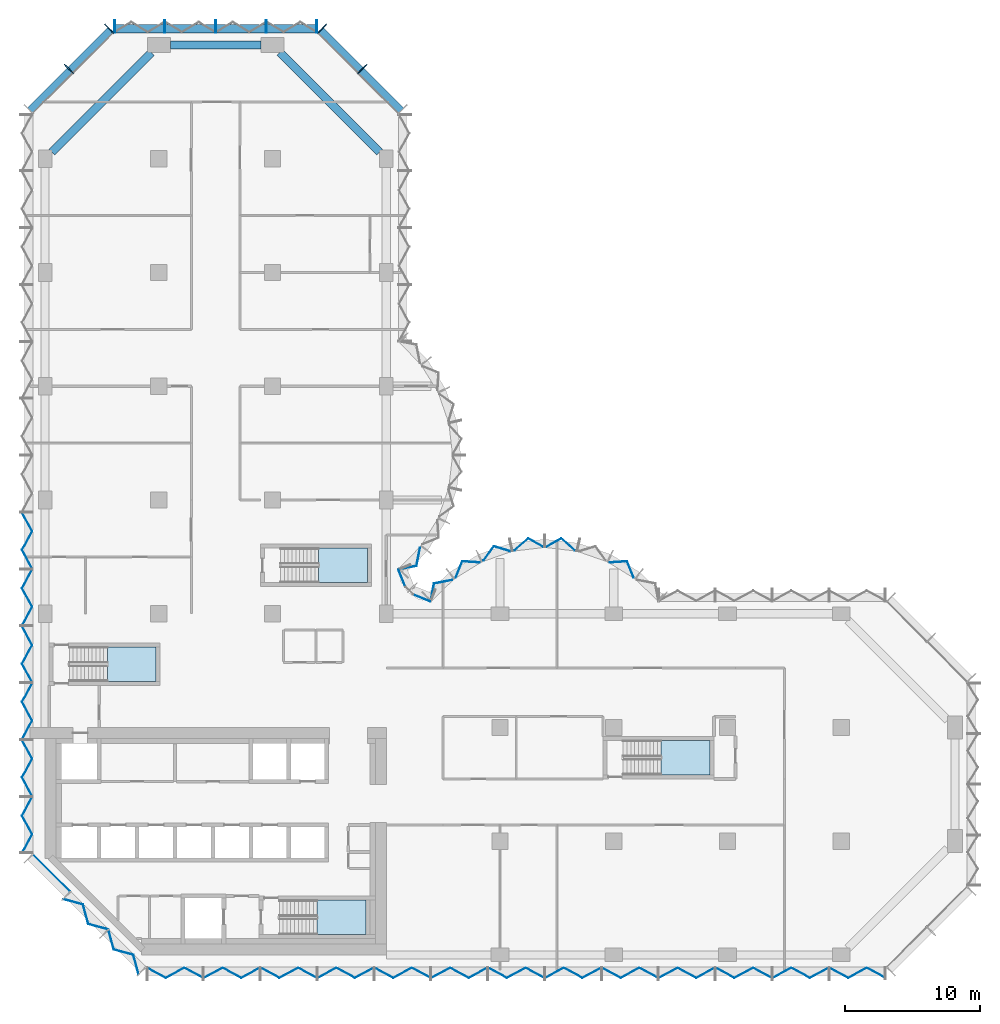
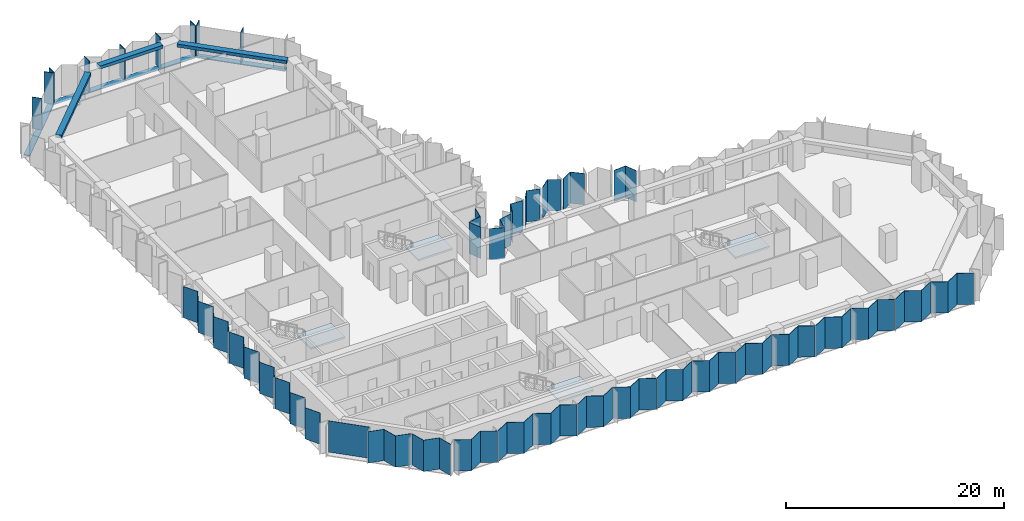
# One storey, part 5 of 13: 31 plates, 12 members, 4 slabs, 3 beams, 13 elements without a shape of their own.
"""IFC4 building model written with IfcOpenShell, lengths in metres."""

from ifc_helpers import new_model, si_unit, direction, frame, origin, origin_2d, place, context, subcontext, project, spatial, polyline, rectangle, outline, extrude, material, layer, layer_set, material_profile, profile_set, type_object, element, aggregate, save


model = new_model("IFC4")

# Units and contexts
model_context = context("Model", 3, precision=1e-05, world=origin(), true_north=direction((0.0, 1.0)))
body_context = subcontext(model_context, "Body", "Model", "MODEL_VIEW")
ifc_project = project(units=[si_unit("LENGTHUNIT", "METRE"), si_unit("AREAUNIT", "SQUARE_METRE"), si_unit("VOLUMEUNIT", "CUBIC_METRE"), si_unit("PLANEANGLEUNIT", "RADIAN"), si_unit("MASSUNIT", "GRAM", prefix="KILO")], contexts=[model_context])

# Site, building, storey
site_placement = place(None, origin())
site = spatial("IfcSite", under=ifc_project, at=site_placement, CompositionType="ELEMENT")
building_placement = place(site_placement, origin())
building = spatial("IfcBuilding", under=site, at=building_placement, Name="Brevane Broadcast Tower", CompositionType="ELEMENT")
storey_placement = place(building_placement, frame((0.0, 0.0, 98.89990234375)))
storey = spatial("IfcBuildingStorey", under=building, at=storey_placement, Name="L23", CompositionType="ELEMENT", Elevation=98.89990234375)

# Curtain wall, members
ifc_material_1 = material(Name="Aluminium 6063-T6 bronze anodised", Category="aluminium")
curtain_wall_type = type_object("IfcCurtainWallType", Name="CW-1 curtain wall", PredefinedType="NOTDEFINED", material=ifc_material_1)
curtain_wall_1_placement = place(storey_placement, origin())
curtain_wall_1 = element("IfcCurtainWall", 1, at=curtain_wall_1_placement, inside=storey, type_object=curtain_wall_type, Name="CW-1 typical tilted unit L23 north arm north-east chamfer", PredefinedType="NOTDEFINED")
ifc_material_profile_1 = material_profile(ifc_material_1, rectangle(XDim=0.949951171875, YDim=0.070068359375, at=origin_2d()), Name="RECT 70x950")
ifc_profile_set_1 = profile_set([ifc_material_profile_1], Name="Aluminium 6063-T6 bronze anodised")
member_type_1 = type_object("IfcMemberType", Name="CW-1 mullion 70x950", PredefinedType="MULLION", material=ifc_profile_set_1)
member_1_placement = place(storey_placement, frame((23.435791015625, 65.435791015625, -0.14990234375), z_axis=(0.0, 0.0, 1.0), x_axis=(-0.707106781187, -0.707106781187, 0.0)))
member_1 = element("IfcMember", 2, at=member_1_placement, type_object=member_type_1, Name="CW-1 mullion", PredefinedType="MULLION", context=body_context, shape_type="SweptSolid", body=[
    extrude(rectangle(XDim=0.949951171875, YDim=0.070068359375, at=origin_2d()), origin(), (0.0, 0.0, 1.0), 3.5),
])
member_2_placement = place(storey_placement, frame((20.460693359375, 68.4111328125, -0.14990234375), z_axis=(0.0, 0.0, 1.0), x_axis=(-0.707106781187, -0.707106781187, 0.0)))
member_2 = element("IfcMember", 3, at=member_2_placement, type_object=member_type_1, Name="CW-1 mullion", PredefinedType="MULLION", context=body_context, shape_type="SweptSolid", body=[
    extrude(rectangle(XDim=0.949951171875, YDim=0.070068359375, at=origin_2d()), origin(), (0.0, 0.0, 1.0), 3.5),
])

curtain_wall_2_placement = place(storey_placement, origin())
curtain_wall_2 = element("IfcCurtainWall", 4, at=curtain_wall_2_placement, inside=storey, type_object=curtain_wall_type, Name="CW-1 typical tilted unit L23 north end", PredefinedType="NOTDEFINED")
member_3_placement = place(storey_placement, frame((20.06494140625, 68.574951171875, -0.14990234375), z_axis=(0.0, 0.0, 1.0), x_axis=(0.0, -1.0, 0.0)))
member_3 = element("IfcMember", 5, at=member_3_placement, type_object=member_type_1, Name="CW-1 mullion", PredefinedType="MULLION", context=body_context, shape_type="SweptSolid", body=[
    extrude(rectangle(XDim=0.949951171875, YDim=0.070068359375, at=origin_2d()), origin(), (0.0, 0.0, 1.0), 3.5),
])
member_4_placement = place(storey_placement, frame((16.35009765625, 68.574951171875, -0.14990234375), z_axis=(0.0, 0.0, 1.0), x_axis=(0.0, -1.0, 0.0)))
member_4 = element("IfcMember", 6, at=member_4_placement, type_object=member_type_1, Name="CW-1 mullion", PredefinedType="MULLION", context=body_context, shape_type="SweptSolid", body=[
    extrude(rectangle(XDim=0.949951171875, YDim=0.070068359375, at=origin_2d()), origin(), (0.0, 0.0, 1.0), 3.5),
])
member_5_placement = place(storey_placement, frame((12.60009765625, 68.574951171875, -0.14990234375), z_axis=(0.0, 0.0, 1.0), x_axis=(0.0, -1.0, 0.0)))
member_5 = element("IfcMember", 7, at=member_5_placement, type_object=member_type_1, Name="CW-1 mullion", PredefinedType="MULLION", context=body_context, shape_type="SweptSolid", body=[
    extrude(rectangle(XDim=0.949951171875, YDim=0.070068359375, at=origin_2d()), origin(), (0.0, 0.0, 1.0), 3.5),
])
member_6_placement = place(storey_placement, frame((8.85009765625, 68.574951171875, -0.14990234375), z_axis=(0.0, 0.0, 1.0), x_axis=(0.0, -1.0, 0.0)))
member_6 = element("IfcMember", 8, at=member_6_placement, type_object=member_type_1, Name="CW-1 mullion", PredefinedType="MULLION", context=body_context, shape_type="SweptSolid", body=[
    extrude(rectangle(XDim=0.949951171875, YDim=0.070068359375, at=origin_2d()), origin(), (0.0, 0.0, 1.0), 3.5),
])
member_7_placement = place(storey_placement, frame((5.135009765625, 68.574951171875, -0.14990234375), z_axis=(0.0, 0.0, 1.0), x_axis=(0.0, -1.0, 0.0)))
member_7 = element("IfcMember", 9, at=member_7_placement, type_object=member_type_1, Name="CW-1 mullion", PredefinedType="MULLION", context=body_context, shape_type="SweptSolid", body=[
    extrude(rectangle(XDim=0.949951171875, YDim=0.070068359375, at=origin_2d()), origin(), (0.0, 0.0, 1.0), 3.5),
])

curtain_wall_3_placement = place(storey_placement, origin())
curtain_wall_3 = element("IfcCurtainWall", 10, at=curtain_wall_3_placement, inside=storey, type_object=curtain_wall_type, Name="CW-1 typical tilted unit L23 north-west chamfer", PredefinedType="NOTDEFINED")
member_8_placement = place(storey_placement, frame((4.7392578125, 68.4111328125, -0.14990234375), z_axis=(0.0, 0.0, 1.0), x_axis=(0.707106781187, -0.707106781187, 0.0)))
member_8 = element("IfcMember", 11, at=member_8_placement, type_object=member_type_1, Name="CW-1 mullion", PredefinedType="MULLION", context=body_context, shape_type="SweptSolid", body=[
    extrude(rectangle(XDim=0.949951171875, YDim=0.070068359375, at=origin_2d()), origin(), (0.0, 0.0, 1.0), 3.5),
])
member_9_placement = place(storey_placement, frame((1.76416015625, 65.435791015625, -0.14990234375), z_axis=(0.0, 0.0, 1.0), x_axis=(0.707106781187, -0.707106781187, 0.0)))
member_9 = element("IfcMember", 12, at=member_9_placement, type_object=member_type_1, Name="CW-1 mullion", PredefinedType="MULLION", context=body_context, shape_type="SweptSolid", body=[
    extrude(rectangle(XDim=0.949951171875, YDim=0.070068359375, at=origin_2d()), origin(), (0.0, 0.0, 1.0), 3.5),
])

# Member
ifc_material_profile_2 = material_profile(ifc_material_1, rectangle(XDim=0.60009765625, YDim=0.10009765625, at=origin_2d()), Name="RECT 100x600")
ifc_profile_set_2 = profile_set([ifc_material_profile_2], Name="Aluminium 6063-T6 bronze anodised")
member_type_2 = type_object("IfcMemberType", Name="CW-1 transom 100x600", PredefinedType="USERDEFINED", material=ifc_profile_set_2)
member_10_placement = place(storey_placement, frame((26.31201171875, 62.31201171875, -0.199951171875), z_axis=(-0.707106781187, 0.707106781187, 0.0), x_axis=(-0.707106781187, -0.707106781187, 0.0)))
member_10 = element("IfcMember", 13, at=member_10_placement, type_object=member_type_2, Name="CW-1 transom", ObjectType="TRANSOM", PredefinedType="USERDEFINED", context=body_context, shape_type="SweptSolid", body=[
    extrude(rectangle(XDim=0.60009765625, YDim=0.10009765625, at=origin_2d()), origin(), (0.0, 0.0, 1.0), 8.4853515625),
])

aggregate(curtain_wall_1, [member_1, member_2, member_10])

member_11_placement = place(storey_placement, frame((20.10009765625, 68.39990234375, -0.199951171875), z_axis=(-1.0, 0.0, 0.0), x_axis=(0.0, -1.0, 0.0)))
member_11 = element("IfcMember", 14, at=member_11_placement, type_object=member_type_2, Name="CW-1 transom", ObjectType="TRANSOM", PredefinedType="USERDEFINED", context=body_context, shape_type="SweptSolid", body=[
    extrude(rectangle(XDim=0.60009765625, YDim=0.10009765625, at=origin_2d()), origin(), (0.0, 0.0, 1.0), 15.0),
])

aggregate(curtain_wall_2, [member_3, member_4, member_5, member_6, member_7, member_11])

member_12_placement = place(storey_placement, frame((4.887939453125, 68.31201171875, -0.199951171875), z_axis=(-0.707106781187, -0.707106781187, 0.0), x_axis=(0.707106781187, -0.707106781187, 0.0)))
member_12 = element("IfcMember", 15, at=member_12_placement, type_object=member_type_2, Name="CW-1 transom", ObjectType="TRANSOM", PredefinedType="USERDEFINED", context=body_context, shape_type="SweptSolid", body=[
    extrude(rectangle(XDim=0.60009765625, YDim=0.10009765625, at=origin_2d()), origin(), (0.0, 0.0, 1.0), 8.4853515625),
])

aggregate(curtain_wall_3, [member_8, member_9, member_12])

# Beams
ifc_material_2 = material(Name="Concrete C40/50", Category="concrete")
ifc_material_profile_3 = material_profile(ifc_material_2, rectangle(XDim=0.60009765625, YDim=0.35009765625, at=origin_2d()), Name="RC 600x350")
ifc_profile_set_3 = profile_set([ifc_material_profile_3], Name="Concrete C40/50")
beam_type = type_object("IfcBeamType", Name="RC SPANDREL BEAM 600x350 C40/50", PredefinedType="SPANDREL", material=ifc_profile_set_3)
beam_1_placement = place(storey_placement, frame((24.699951171875, 59.300048828125, 3.175048828125), z_axis=(-0.707106781187, 0.707106781187, 0.0), x_axis=(-0.707106781187, -0.707106781187, 0.0)))
element("IfcBeam", 16, at=beam_1_placement, inside=storey, type_object=beam_type, Name="EB1 L23-16", PredefinedType="SPANDREL", context=body_context, shape_type="SweptSolid", body=[
    extrude(rectangle(XDim=0.60009765625, YDim=0.35009765625, at=origin_2d()), origin(), (0.0, 0.0, 1.0), 10.394287109375),
])
beam_2_placement = place(storey_placement, frame((15.949951171875, 67.199951171875, 3.175048828125), z_axis=(-1.0, 0.0, 0.0), x_axis=(0.0, -1.0, 0.0)))
element("IfcBeam", 17, at=beam_2_placement, inside=storey, type_object=beam_type, Name="EB1 L23-17", PredefinedType="SPANDREL", context=body_context, shape_type="SweptSolid", body=[
    extrude(rectangle(XDim=0.60009765625, YDim=0.35009765625, at=origin_2d()), origin(), (0.0, 0.0, 1.0), 6.699951171875),
])
beam_3_placement = place(storey_placement, frame((7.85009765625, 66.64990234375, 3.175048828125), z_axis=(-0.707118524903, -0.707095037275, 0.0), x_axis=(0.707095037275, -0.707118524903, 0.0)))
element("IfcBeam", 18, at=beam_3_placement, inside=storey, type_object=beam_type, Name="EB1 L23-18", PredefinedType="SPANDREL", context=body_context, shape_type="SweptSolid", body=[
    extrude(rectangle(XDim=0.60009765625, YDim=0.35009765625, at=origin_2d()), origin(), (0.0, 0.0, 1.0), 10.39453125),
])

# Curtain wall, plates
curtain_wall_4_placement = place(storey_placement, origin())
curtain_wall_4 = element("IfcCurtainWall", 19, at=curtain_wall_4_placement, inside=storey, type_object=curtain_wall_type, Name="CW-1 typical tilted unit L23 south face", PredefinedType="NOTDEFINED")
ifc_material_3 = material(Name="Laminated glass bronze-tinted", Category="glass")
ifc_layer_1 = layer(ifc_material_3, 0.0400390625)
ifc_layer_set_1 = layer_set([ifc_layer_1], Name="CW tall glass panel 40")
plate_type = type_object("IfcPlateType", Name="CW tall glass panel 40", PredefinedType="CURTAIN_PANEL", material=ifc_layer_set_1)
plate_1_placement = place(storey_placement, frame((0.0, 0.0, -0.14990234375)))
plate_1 = element("IfcPlate", 20, at=plate_1_placement, type_object=plate_type, Name="CW-1 glass panel", PredefinedType="CURTAIN_PANEL", context=body_context, shape_type="SweptSolid", body=[
    extrude(outline(polyline([(7.534912109375, -0.92724609375), (7.534912109375, -0.97265625), (8.91162109375, -1.717041015625), (10.288330078125, -0.97265625), (11.6650390625, -1.717041015625), (11.6650390625, -1.671630859375), (10.288330078125, -0.92724609375), (8.91162109375, -1.671630859375), (7.534912109375, -0.92724609375)])), origin(), (0.0, 0.0, 1.0), 3.5),
])
plate_2_placement = place(storey_placement, frame((0.0, 0.0, -0.14990234375)))
plate_2 = element("IfcPlate", 21, at=plate_2_placement, type_object=plate_type, Name="CW-1 glass panel", PredefinedType="CURTAIN_PANEL", context=body_context, shape_type="SweptSolid", body=[
    extrude(outline(polyline([(11.735107421875, -1.671630859375), (11.735107421875, -1.717041015625), (13.11181640625, -0.97265625), (14.48828125, -1.717041015625), (15.864990234375, -0.97265625), (15.864990234375, -0.92724609375), (14.48828125, -1.671630859375), (13.11181640625, -0.92724609375), (11.735107421875, -1.671630859375)])), origin(), (0.0, 0.0, 1.0), 3.5),
])
plate_3_placement = place(storey_placement, frame((0.0, 0.0, -0.14990234375)))
plate_3 = element("IfcPlate", 22, at=plate_3_placement, type_object=plate_type, Name="CW-1 glass panel", PredefinedType="CURTAIN_PANEL", context=body_context, shape_type="SweptSolid", body=[
    extrude(outline(polyline([(15.93505859375, -0.92724609375), (15.93505859375, -0.97265625), (17.311767578125, -1.717041015625), (18.688232421875, -0.97265625), (20.06494140625, -1.717041015625), (20.06494140625, -1.671630859375), (18.688232421875, -0.92724609375), (17.311767578125, -1.671630859375), (15.93505859375, -0.92724609375)])), origin(), (0.0, 0.0, 1.0), 3.5),
])
plate_4_placement = place(storey_placement, frame((0.0, 0.0, -0.14990234375)))
plate_4 = element("IfcPlate", 23, at=plate_4_placement, type_object=plate_type, Name="CW-1 glass panel", PredefinedType="CURTAIN_PANEL", context=body_context, shape_type="SweptSolid", body=[
    extrude(outline(polyline([(20.135009765625, -1.671630859375), (20.135009765625, -1.717041015625), (21.51171875, -0.97265625), (22.88818359375, -1.717041015625), (24.264892578125, -0.97265625), (24.264892578125, -0.92724609375), (22.88818359375, -1.671630859375), (21.51171875, -0.92724609375), (20.135009765625, -1.671630859375)])), origin(), (0.0, 0.0, 1.0), 3.5),
])
plate_5_placement = place(storey_placement, frame((0.0, 0.0, -0.14990234375)))
plate_5 = element("IfcPlate", 24, at=plate_5_placement, type_object=plate_type, Name="CW-1 glass panel", PredefinedType="CURTAIN_PANEL", context=body_context, shape_type="SweptSolid", body=[
    extrude(outline(polyline([(24.3349609375, -0.92724609375), (24.3349609375, -0.97265625), (25.711669921875, -1.717041015625), (27.08837890625, -0.97265625), (28.465087890625, -1.717041015625), (28.465087890625, -1.671630859375), (27.08837890625, -0.92724609375), (25.711669921875, -1.671630859375), (24.3349609375, -0.92724609375)])), origin(), (0.0, 0.0, 1.0), 3.5),
])
plate_6_placement = place(storey_placement, frame((0.0, 0.0, -0.14990234375)))
plate_6 = element("IfcPlate", 25, at=plate_6_placement, type_object=plate_type, Name="CW-1 glass panel", PredefinedType="CURTAIN_PANEL", context=body_context, shape_type="SweptSolid", body=[
    extrude(outline(polyline([(28.534912109375, -1.671630859375), (28.534912109375, -1.717041015625), (29.91162109375, -0.97265625), (31.288330078125, -1.717041015625), (32.6650390625, -0.97265625), (32.6650390625, -0.92724609375), (31.288330078125, -1.671630859375), (29.91162109375, -0.92724609375), (28.534912109375, -1.671630859375)])), origin(), (0.0, 0.0, 1.0), 3.5),
])
plate_7_placement = place(storey_placement, frame((0.0, 0.0, -0.14990234375)))
plate_7 = element("IfcPlate", 26, at=plate_7_placement, type_object=plate_type, Name="CW-1 glass panel", PredefinedType="CURTAIN_PANEL", context=body_context, shape_type="SweptSolid", body=[
    extrude(outline(polyline([(32.735107421875, -0.92724609375), (32.735107421875, -0.97265625), (34.11181640625, -1.717041015625), (35.48828125, -0.97265625), (36.864990234375, -1.717041015625), (36.864990234375, -1.671630859375), (35.48828125, -0.92724609375), (34.11181640625, -1.671630859375), (32.735107421875, -0.92724609375)])), origin(), (0.0, 0.0, 1.0), 3.5),
])
plate_8_placement = place(storey_placement, frame((0.0, 0.0, -0.14990234375)))
plate_8 = element("IfcPlate", 27, at=plate_8_placement, type_object=plate_type, Name="CW-1 glass panel", PredefinedType="CURTAIN_PANEL", context=body_context, shape_type="SweptSolid", body=[
    extrude(outline(polyline([(36.93505859375, -1.671630859375), (36.93505859375, -1.717041015625), (38.311767578125, -0.97265625), (39.688232421875, -1.717041015625), (41.06494140625, -0.97265625), (41.06494140625, -0.92724609375), (39.688232421875, -1.671630859375), (38.311767578125, -0.92724609375), (36.93505859375, -1.671630859375)])), origin(), (0.0, 0.0, 1.0), 3.5),
])
plate_9_placement = place(storey_placement, frame((0.0, 0.0, -0.14990234375)))
plate_9 = element("IfcPlate", 28, at=plate_9_placement, type_object=plate_type, Name="CW-1 glass panel", PredefinedType="CURTAIN_PANEL", context=body_context, shape_type="SweptSolid", body=[
    extrude(outline(polyline([(41.135009765625, -0.92724609375), (41.135009765625, -0.97265625), (42.51171875, -1.717041015625), (43.88818359375, -0.97265625), (45.264892578125, -1.717041015625), (45.264892578125, -1.671630859375), (43.88818359375, -0.92724609375), (42.51171875, -1.671630859375), (41.135009765625, -0.92724609375)])), origin(), (0.0, 0.0, 1.0), 3.5),
])
plate_10_placement = place(storey_placement, frame((0.0, 0.0, -0.14990234375)))
plate_10 = element("IfcPlate", 29, at=plate_10_placement, type_object=plate_type, Name="CW-1 glass panel", PredefinedType="CURTAIN_PANEL", context=body_context, shape_type="SweptSolid", body=[
    extrude(outline(polyline([(45.3349609375, -1.671630859375), (45.3349609375, -1.717041015625), (46.711669921875, -0.97265625), (48.08837890625, -1.717041015625), (49.465087890625, -0.97265625), (49.465087890625, -0.92724609375), (48.08837890625, -1.671630859375), (46.711669921875, -0.92724609375), (45.3349609375, -1.671630859375)])), origin(), (0.0, 0.0, 1.0), 3.5),
])
plate_11_placement = place(storey_placement, frame((0.0, 0.0, -0.14990234375)))
plate_11 = element("IfcPlate", 30, at=plate_11_placement, type_object=plate_type, Name="CW-1 glass panel", PredefinedType="CURTAIN_PANEL", context=body_context, shape_type="SweptSolid", body=[
    extrude(outline(polyline([(49.534912109375, -0.92724609375), (49.534912109375, -0.97265625), (50.91162109375, -1.717041015625), (52.288330078125, -0.97265625), (53.6650390625, -1.717041015625), (53.6650390625, -1.671630859375), (52.288330078125, -0.92724609375), (50.91162109375, -1.671630859375), (49.534912109375, -0.92724609375)])), origin(), (0.0, 0.0, 1.0), 3.5),
])
plate_12_placement = place(storey_placement, frame((0.0, 0.0, -0.14990234375)))
plate_12 = element("IfcPlate", 31, at=plate_12_placement, type_object=plate_type, Name="CW-1 glass panel", PredefinedType="CURTAIN_PANEL", context=body_context, shape_type="SweptSolid", body=[
    extrude(outline(polyline([(53.735107421875, -1.671630859375), (53.735107421875, -1.717041015625), (55.11181640625, -0.97265625), (56.48828125, -1.717041015625), (57.864990234375, -0.97265625), (57.864990234375, -0.92724609375), (56.48828125, -1.671630859375), (55.11181640625, -0.92724609375), (53.735107421875, -1.671630859375)])), origin(), (0.0, 0.0, 1.0), 3.5),
])
plate_13_placement = place(storey_placement, frame((0.0, 0.0, -0.14990234375)))
plate_13 = element("IfcPlate", 32, at=plate_13_placement, type_object=plate_type, Name="CW-1 glass panel", PredefinedType="CURTAIN_PANEL", context=body_context, shape_type="SweptSolid", body=[
    extrude(outline(polyline([(57.93505859375, -0.92724609375), (57.93505859375, -0.97265625), (59.311767578125, -1.717041015625), (60.688232421875, -0.97265625), (62.06494140625, -1.717041015625), (62.06494140625, -1.671630859375), (60.688232421875, -0.92724609375), (59.311767578125, -1.671630859375), (57.93505859375, -0.92724609375)])), origin(), (0.0, 0.0, 1.0), 3.5),
])
aggregate(curtain_wall_4, [plate_1, plate_2, plate_3, plate_4, plate_5, plate_6, plate_7, plate_8, plate_9, plate_10, plate_11, plate_12, plate_13])

curtain_wall_5_placement = place(storey_placement, origin())
curtain_wall_5 = element("IfcCurtainWall", 33, at=curtain_wall_5_placement, inside=storey, type_object=curtain_wall_type, Name="CW-1 typical tilted unit L23 east bow", PredefinedType="NOTDEFINED")
plate_14_placement = place(storey_placement, frame((0.0, 0.0, -0.14990234375)))
plate_14 = element("IfcPlate", 34, at=plate_14_placement, type_object=plate_type, Name="CW-1 glass panel", PredefinedType="CURTAIN_PANEL", context=body_context, shape_type="SweptSolid", body=[
    extrude(outline(polyline([(43.45703125, 27.8759765625), (43.4853515625, 27.912109375), (43.00390625, 29.089111328125), (41.710693359375, 29.006591796875), (41.69091796875, 28.96533203125), (42.977783203125, 29.04736328125), (43.45703125, 27.8759765625)])), origin(), (0.0, 0.0, 1.0), 3.5),
])
plate_15_placement = place(storey_placement, frame((0.0, 0.0, -0.14990234375)))
plate_15 = element("IfcPlate", 35, at=plate_15_placement, type_object=plate_type, Name="CW-1 glass panel", PredefinedType="CURTAIN_PANEL", context=body_context, shape_type="SweptSolid", body=[
    extrude(outline(polyline([(39.125, 29.859619140625), (39.13525390625, 29.903564453125), (38.116943359375, 30.779296875), (37.008056640625, 30.15869140625), (37.008056640625, 30.11279296875), (38.112060546875, 30.730712890625), (39.125, 29.859619140625)])), origin(), (0.0, 0.0, 1.0), 3.5),
])
plate_16_placement = place(storey_placement, frame((0.0, 0.0, -0.14990234375)))
plate_16 = element("IfcPlate", 36, at=plate_16_placement, type_object=plate_type, Name="CW-1 glass panel", PredefinedType="CURTAIN_PANEL", context=body_context, shape_type="SweptSolid", body=[
    extrude(outline(polyline([(36.7919921875, 30.11279296875), (36.7919921875, 30.15869140625), (35.68310546875, 30.779296875), (34.664794921875, 29.903564453125), (34.6748046875, 29.859619140625), (35.68798828125, 30.730712890625), (36.7919921875, 30.11279296875)])), origin(), (0.0, 0.0, 1.0), 3.5),
])
plate_17_placement = place(storey_placement, frame((0.0, 0.0, -0.14990234375)))
plate_17 = element("IfcPlate", 37, at=plate_17_placement, type_object=plate_type, Name="CW-1 glass panel", PredefinedType="CURTAIN_PANEL", context=body_context, shape_type="SweptSolid", body=[
    extrude(outline(polyline([(34.359619140625, 29.78857421875), (34.349365234375, 29.83349609375), (33.132080078125, 30.20166015625), (32.381103515625, 29.1455078125), (32.400634765625, 29.104248046875), (33.148193359375, 30.155029296875), (34.359619140625, 29.78857421875)])), origin(), (0.0, 0.0, 1.0), 3.5),
])
plate_18_placement = place(storey_placement, frame((0.0, 0.0, -0.14990234375)))
plate_18 = element("IfcPlate", 38, at=plate_18_placement, type_object=plate_type, Name="CW-1 glass panel", PredefinedType="CURTAIN_PANEL", context=body_context, shape_type="SweptSolid", body=[
    extrude(outline(polyline([(32.10888671875, 28.96533203125), (32.08935546875, 29.006591796875), (30.7958984375, 29.089111328125), (30.314697265625, 27.912109375), (30.343017578125, 27.8759765625), (30.822265625, 29.04736328125), (32.10888671875, 28.96533203125)])), origin(), (0.0, 0.0, 1.0), 3.5),
])
plate_19_placement = place(storey_placement, frame((0.0, 0.0, -0.14990234375)))
plate_19 = element("IfcPlate", 39, at=plate_19_placement, type_object=plate_type, Name="CW-1 glass panel", PredefinedType="CURTAIN_PANEL", context=body_context, shape_type="SweptSolid", body=[
    extrude(outline(polyline([(30.089111328125, 27.67626953125), (30.0615234375, 27.71142578125), (28.7138671875, 27.447265625), (28.471923828125, 26.17919921875), (28.506103515625, 26.14404296875), (28.748046875, 27.4130859375), (30.089111328125, 27.67626953125)])), origin(), (0.0, 0.0, 1.0), 3.5),
])
aggregate(curtain_wall_5, [plate_14, plate_15, plate_16, plate_17, plate_18, plate_19])

curtain_wall_6_placement = place(storey_placement, origin())
curtain_wall_6 = element("IfcCurtainWall", 40, at=curtain_wall_6_placement, inside=storey, type_object=curtain_wall_type, Name="CW-1 typical tilted unit L23 inner corner", PredefinedType="NOTDEFINED")
plate_20_placement = place(storey_placement, frame((0.0, 0.0, -0.14990234375)))
plate_20 = element("IfcPlate", 41, at=plate_20_placement, type_object=plate_type, Name="CW-1 glass panel", PredefinedType="CURTAIN_PANEL", context=body_context, shape_type="SweptSolid", body=[
    extrude(outline(polyline([(28.45166015625, 26.07470703125), (28.466796875, 26.111572265625), (27.2021484375, 26.635498046875), (27.17138671875, 26.60498046875), (28.45166015625, 26.07470703125)])), origin(), (0.0, 0.0, 1.0), 3.5),
])
plate_21_placement = place(storey_placement, frame((0.0, 0.0, -0.14990234375)))
plate_21 = element("IfcPlate", 42, at=plate_21_placement, type_object=plate_type, Name="CW-1 glass panel", PredefinedType="CURTAIN_PANEL", context=body_context, shape_type="SweptSolid", body=[
    extrude(outline(polyline([(26.60498046875, 27.17138671875), (26.635498046875, 27.2021484375), (26.111572265625, 28.466796875), (26.07470703125, 28.45166015625), (26.60498046875, 27.17138671875)])), origin(), (0.0, 0.0, 1.0), 3.5),
])
aggregate(curtain_wall_6, [plate_20, plate_21])

# Curtain wall, plate
curtain_wall_7_placement = place(storey_placement, origin())
curtain_wall_7 = element("IfcCurtainWall", 43, at=curtain_wall_7_placement, inside=storey, type_object=curtain_wall_type, Name="CW-1 typical tilted unit L23 north bow", PredefinedType="NOTDEFINED")
plate_22_placement = place(storey_placement, frame((0.0, 0.0, -0.14990234375)))
plate_22 = element("IfcPlate", 44, at=plate_22_placement, type_object=plate_type, Name="CW-1 glass panel", PredefinedType="CURTAIN_PANEL", context=body_context, shape_type="SweptSolid", body=[
    extrude(outline(polyline([(26.14404296875, 28.506103515625), (26.17919921875, 28.471923828125), (27.447265625, 28.7138671875), (27.71142578125, 30.0615234375), (27.67626953125, 30.089111328125), (27.4130859375, 28.748046875), (26.14404296875, 28.506103515625)])), origin(), (0.0, 0.0, 1.0), 3.5),
])
aggregate(curtain_wall_7, [plate_22])

# Curtain wall, plates
curtain_wall_8_placement = place(storey_placement, origin())
curtain_wall_8 = element("IfcCurtainWall", 45, at=curtain_wall_8_placement, inside=storey, type_object=curtain_wall_type, Name="CW-1 typical tilted unit L23 west face", PredefinedType="NOTDEFINED")
plate_23_placement = place(storey_placement, frame((0.0, 0.0, -0.14990234375)))
plate_23 = element("IfcPlate", 46, at=plate_23_placement, type_object=plate_type, Name="CW-1 glass panel", PredefinedType="CURTAIN_PANEL", context=body_context, shape_type="SweptSolid", body=[
    extrude(outline(polyline([(-1.671630859375, 32.6650390625), (-1.717041015625, 32.6650390625), (-0.97265625, 31.288330078125), (-1.717041015625, 29.91162109375), (-0.97265625, 28.534912109375), (-0.92724609375, 28.534912109375), (-1.671630859375, 29.91162109375), (-0.92724609375, 31.288330078125), (-1.671630859375, 32.6650390625)])), origin(), (0.0, 0.0, 1.0), 3.5),
])
plate_24_placement = place(storey_placement, frame((0.0, 0.0, -0.14990234375)))
plate_24 = element("IfcPlate", 47, at=plate_24_placement, type_object=plate_type, Name="CW-1 glass panel", PredefinedType="CURTAIN_PANEL", context=body_context, shape_type="SweptSolid", body=[
    extrude(outline(polyline([(-0.92724609375, 28.465087890625), (-0.97265625, 28.465087890625), (-1.717041015625, 27.08837890625), (-0.97265625, 25.711669921875), (-1.717041015625, 24.3349609375), (-1.671630859375, 24.3349609375), (-0.92724609375, 25.711669921875), (-1.671630859375, 27.08837890625), (-0.92724609375, 28.465087890625)])), origin(), (0.0, 0.0, 1.0), 3.5),
])
plate_25_placement = place(storey_placement, frame((0.0, 0.0, -0.14990234375)))
plate_25 = element("IfcPlate", 48, at=plate_25_placement, type_object=plate_type, Name="CW-1 glass panel", PredefinedType="CURTAIN_PANEL", context=body_context, shape_type="SweptSolid", body=[
    extrude(outline(polyline([(-1.671630859375, 24.264892578125), (-1.717041015625, 24.264892578125), (-0.97265625, 22.88818359375), (-1.717041015625, 21.51171875), (-0.97265625, 20.135009765625), (-0.92724609375, 20.135009765625), (-1.671630859375, 21.51171875), (-0.92724609375, 22.88818359375), (-1.671630859375, 24.264892578125)])), origin(), (0.0, 0.0, 1.0), 3.5),
])
plate_26_placement = place(storey_placement, frame((0.0, 0.0, -0.14990234375)))
plate_26 = element("IfcPlate", 49, at=plate_26_placement, type_object=plate_type, Name="CW-1 glass panel", PredefinedType="CURTAIN_PANEL", context=body_context, shape_type="SweptSolid", body=[
    extrude(outline(polyline([(-0.92724609375, 20.06494140625), (-0.97265625, 20.06494140625), (-1.717041015625, 18.688232421875), (-0.97265625, 17.311767578125), (-1.717041015625, 15.93505859375), (-1.671630859375, 15.93505859375), (-0.92724609375, 17.311767578125), (-1.671630859375, 18.688232421875), (-0.92724609375, 20.06494140625)])), origin(), (0.0, 0.0, 1.0), 3.5),
])
plate_27_placement = place(storey_placement, frame((0.0, 0.0, -0.14990234375)))
plate_27 = element("IfcPlate", 50, at=plate_27_placement, type_object=plate_type, Name="CW-1 glass panel", PredefinedType="CURTAIN_PANEL", context=body_context, shape_type="SweptSolid", body=[
    extrude(outline(polyline([(-1.671630859375, 15.864990234375), (-1.717041015625, 15.864990234375), (-0.97265625, 14.48828125), (-1.717041015625, 13.11181640625), (-0.97265625, 11.735107421875), (-0.92724609375, 11.735107421875), (-1.671630859375, 13.11181640625), (-0.92724609375, 14.48828125), (-1.671630859375, 15.864990234375)])), origin(), (0.0, 0.0, 1.0), 3.5),
])
plate_28_placement = place(storey_placement, frame((0.0, 0.0, -0.14990234375)))
plate_28 = element("IfcPlate", 51, at=plate_28_placement, type_object=plate_type, Name="CW-1 glass panel", PredefinedType="CURTAIN_PANEL", context=body_context, shape_type="SweptSolid", body=[
    extrude(outline(polyline([(-0.92724609375, 11.6650390625), (-0.97265625, 11.6650390625), (-1.717041015625, 10.288330078125), (-0.97265625, 8.91162109375), (-1.717041015625, 7.534912109375), (-1.671630859375, 7.534912109375), (-0.92724609375, 8.91162109375), (-1.671630859375, 10.288330078125), (-0.92724609375, 11.6650390625)])), origin(), (0.0, 0.0, 1.0), 3.5),
])
aggregate(curtain_wall_8, [plate_23, plate_24, plate_25, plate_26, plate_27, plate_28])

curtain_wall_9_placement = place(storey_placement, origin())
curtain_wall_9 = element("IfcCurtainWall", 52, at=curtain_wall_9_placement, inside=storey, type_object=curtain_wall_type, Name="CW-1 typical tilted unit L23 south-west chamfer", PredefinedType="NOTDEFINED")
plate_29_placement = place(storey_placement, frame((0.0, 0.0, -0.14990234375)))
plate_29 = element("IfcPlate", 53, at=plate_29_placement, type_object=plate_type, Name="CW-1 glass panel", PredefinedType="CURTAIN_PANEL", context=body_context, shape_type="SweptSolid", body=[
    extrude(outline(polyline([(-0.896484375, 7.4541015625), (1.85400390625, 4.70361328125), (1.82568359375, 4.67529296875), (-0.9248046875, 7.42578125), (-0.896484375, 7.4541015625)])), origin(), (0.0, 0.0, 1.0), 3.5),
])
plate_30_placement = place(storey_placement, frame((0.0, 0.0, -0.14990234375)))
plate_30 = element("IfcPlate", 54, at=plate_30_placement, type_object=plate_type, Name="CW-1 glass panel", PredefinedType="CURTAIN_PANEL", context=body_context, shape_type="SweptSolid", body=[
    extrude(outline(polyline([(1.37939453125, 4.1298828125), (1.3466796875, 4.09716796875), (2.789794921875, 3.706787109375), (3.180419921875, 2.263671875), (4.62353515625, 1.873046875), (4.65625, 1.90576171875), (3.212890625, 2.296142578125), (2.822509765625, 3.739501953125), (1.37939453125, 4.1298828125)])), origin(), (0.0, 0.0, 1.0), 3.5),
])
plate_31_placement = place(storey_placement, frame((0.0, 0.0, -0.14990234375)))
plate_31 = element("IfcPlate", 55, at=plate_31_placement, type_object=plate_type, Name="CW-1 glass panel", PredefinedType="CURTAIN_PANEL", context=body_context, shape_type="SweptSolid", body=[
    extrude(outline(polyline([(4.705810546875, 1.856201171875), (4.673095703125, 1.823486328125), (5.063720703125, 0.38037109375), (6.5068359375, -0.010009765625), (6.897216796875, -1.453369140625), (6.9296875, -1.420654296875), (6.539306640625, 0.0224609375), (5.09619140625, 0.4130859375), (4.705810546875, 1.856201171875)])), origin(), (0.0, 0.0, 1.0), 3.5),
])
aggregate(curtain_wall_9, [plate_29, plate_30, plate_31])

# Stair, slab
ifc_material_4 = material(Name="Concrete C50/60", Category="concrete")
stair_type = type_object("IfcStairType", Name="Exit stair 22 risers", PredefinedType="HALF_TURN_STAIR", material=ifc_material_4)
stair_1_placement = place(storey_placement, origin())
stair_1 = element("IfcStair", 56, at=stair_1_placement, inside=storey, type_object=stair_type, Name="L23 Exit stair ST-1", PredefinedType="HALF_TURN_STAIR")
ifc_layer_2 = layer(ifc_material_4, 0.199951171875)
ifc_layer_set_2 = layer_set([ifc_layer_2], Name="Exit stair landing")
slab_type = type_object("IfcSlabType", Name="Exit stair landing", PredefinedType="LANDING", material=ifc_layer_set_2)
slab_1_placement = place(storey_placement, frame((0.0, 0.0, 1.60009765625)))
slab_1 = element("IfcSlab", 57, at=slab_1_placement, type_object=slab_type, Name="ST-1 landing 1", PredefinedType="LANDING", context=body_context, shape_type="SweptSolid", body=[
    extrude(outline(polyline([(4.60009765625, 20.199951171875), (8.199951171875, 20.199951171875), (8.199951171875, 22.75), (4.60009765625, 22.75), (4.60009765625, 20.199951171875)])), origin(), (0.0, 0.0, 1.0), 0.199951171875),
])
aggregate(stair_1, [slab_1])

stair_2_placement = place(storey_placement, origin())
stair_2 = element("IfcStair", 58, at=stair_2_placement, inside=storey, type_object=stair_type, Name="L23 Exit stair ST-2", PredefinedType="HALF_TURN_STAIR")
slab_2_placement = place(storey_placement, frame((0.0, 0.0, 1.60009765625)))
slab_2 = element("IfcSlab", 59, at=slab_2_placement, type_object=slab_type, Name="ST-2 landing 1", PredefinedType="LANDING", context=body_context, shape_type="SweptSolid", body=[
    extrude(outline(polyline([(20.10009765625, 1.5), (23.699951171875, 1.5), (23.699951171875, 4.050048828125), (20.10009765625, 4.050048828125), (20.10009765625, 1.5)])), origin(), (0.0, 0.0, 1.0), 0.199951171875),
])
aggregate(stair_2, [slab_2])

stair_3_placement = place(storey_placement, origin())
stair_3 = element("IfcStair", 60, at=stair_3_placement, inside=storey, type_object=stair_type, Name="L23 Exit stair ST-3", PredefinedType="HALF_TURN_STAIR")
slab_3_placement = place(storey_placement, frame((0.0, 0.0, 1.60009765625)))
slab_3 = element("IfcSlab", 61, at=slab_3_placement, type_object=slab_type, Name="ST-3 landing 1", PredefinedType="LANDING", context=body_context, shape_type="SweptSolid", body=[
    extrude(outline(polyline([(20.199951171875, 27.5), (23.800048828125, 27.5), (23.800048828125, 30.050048828125), (20.199951171875, 30.050048828125), (20.199951171875, 27.5)])), origin(), (0.0, 0.0, 1.0), 0.199951171875),
])
aggregate(stair_3, [slab_3])

stair_4_placement = place(storey_placement, origin())
stair_4 = element("IfcStair", 62, at=stair_4_placement, inside=storey, type_object=stair_type, Name="L23 Exit stair ST-4", PredefinedType="HALF_TURN_STAIR")
slab_4_placement = place(storey_placement, frame((0.0, 0.0, 1.60009765625)))
slab_4 = element("IfcSlab", 63, at=slab_4_placement, type_object=slab_type, Name="ST-4 landing 1", PredefinedType="LANDING", context=body_context, shape_type="SweptSolid", body=[
    extrude(outline(polyline([(45.5, 13.300048828125), (49.10009765625, 13.300048828125), (49.10009765625, 15.85009765625), (45.5, 15.85009765625), (45.5, 13.300048828125)])), origin(), (0.0, 0.0, 1.0), 0.199951171875),
])
aggregate(stair_4, [slab_4])

save(model, "model.ifc")
